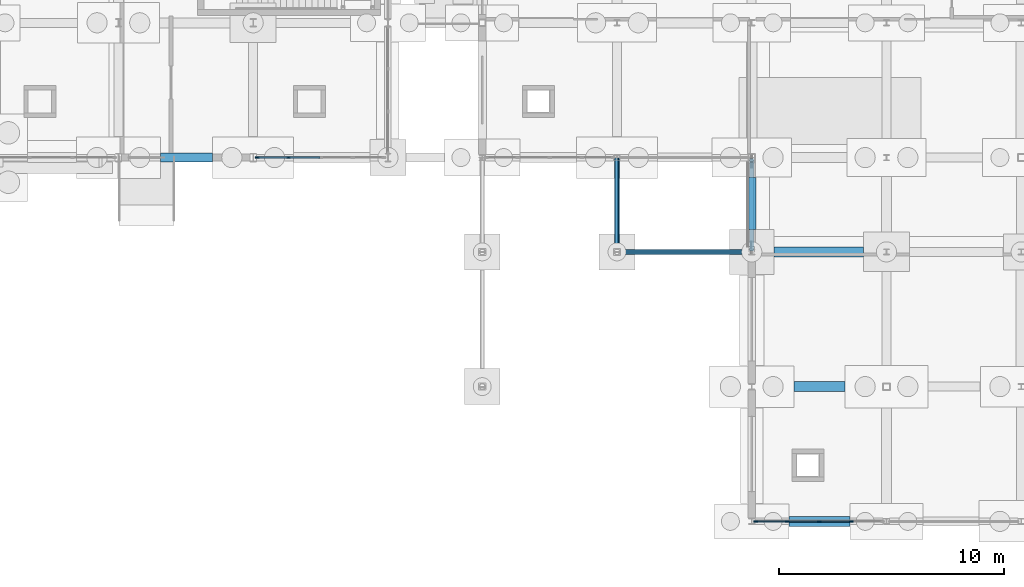
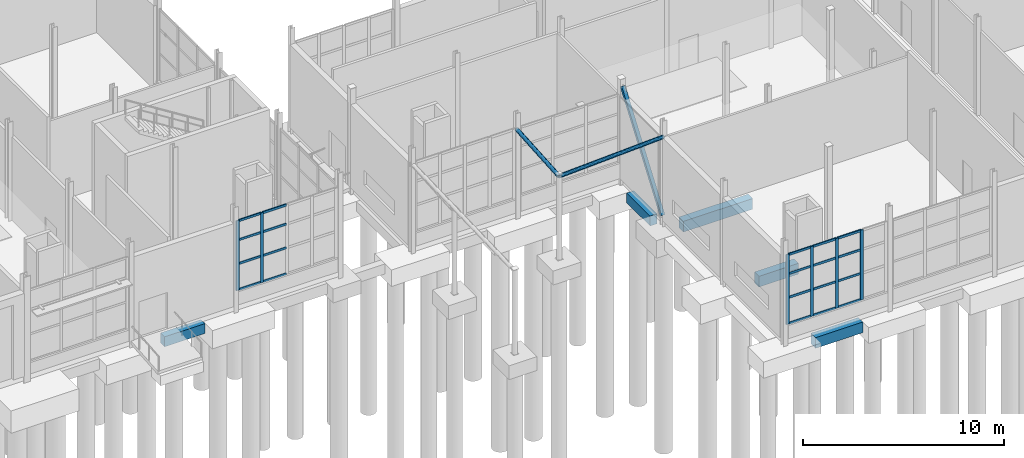
# One storey, part 42 of 120: 29 members, 5 beams, 2 elements without a shape of their own.
"""IFC4 building model written with IfcOpenShell, lengths in metres."""

import ifcopenshell
import ifcopenshell.guid

model = None  # the IFC model being written
_history = None  # IfcOwnerHistory: only IFC2X3 demands one
_inside = {}  # id of a spatial element -> (the spatial element, [elements in it])
_under = {}  # id of a project, library or spatial element -> (it, [spatial elements below it])
_declared = {}  # id of a project -> (the project, [libraries it declares])
_typed = {}  # id of a type object -> (the type object, [elements of that type])
_made_of = {}  # id of a material, layer set ... -> (it, [elements and type objects made of it])


def new_model(schema):
    """Start an empty IFC model of exactly this schema.

    Asked for "IFC4X3", IfcOpenShell would pick the latest addendum, in which some entities
    have other attributes; the version numbers below select the first issue.
    IFC2X3 requires an IfcOwnerHistory on every rooted entity: one is made here for all.
    """
    global model, _history
    if schema == "IFC4X3":
        model = ifcopenshell.file(schema_version=(4, 3, 0, 0))
    else:
        model = ifcopenshell.file(schema=schema)
    _inside.clear()
    _under.clear()
    _declared.clear()
    _typed.clear()
    _made_of.clear()
    _history = None
    if model.schema == "IFC2X3":
        org = make("IfcOrganization", Name="unknown")
        user = make(
            "IfcPersonAndOrganization",
            ThePerson=make("IfcPerson", FamilyName="unknown"),
            TheOrganization=org,
        )
        app = make(
            "IfcApplication",
            ApplicationDeveloper=org,
            Version="unknown",
            ApplicationFullName="unknown",
            ApplicationIdentifier="unknown",
        )
        _history = make(
            "IfcOwnerHistory",
            OwningUser=user,
            OwningApplication=app,
            ChangeAction="ADDED",
            CreationDate=0,
        )
    return model


def make(cls, **values):
    """One entity of the class cls with the attributes given. An attribute that is None is left unset."""
    return model.create_entity(
        cls, **{name: value for name, value in values.items() if value is not None}
    )


def rooted(cls, **values):
    """An entity with a GlobalId (a new one), such as an element, a storey or a relation."""
    return make(cls, GlobalId=ifcopenshell.guid.new(), OwnerHistory=_history, **values)


def si_unit(unit_type, name, prefix=None):
    """IfcSIUnit, for example si_unit("LENGTHUNIT", "METRE", prefix="MILLI")."""
    return make("IfcSIUnit", UnitType=unit_type, Prefix=prefix, Name=name)


def assignment(units):
    """IfcUnitAssignment: the units of a project."""
    return None if units is None else make("IfcUnitAssignment", Units=units)


def point(xyz):
    """IfcCartesianPoint."""
    return None if xyz is None else make("IfcCartesianPoint", Coordinates=xyz)


def direction(xyz):
    """IfcDirection."""
    return None if xyz is None else make("IfcDirection", DirectionRatios=xyz)


def frame(location, z_axis=None, x_axis=None):
    """IfcAxis2Placement3D, a coordinate frame: its origin and axes. An axis left out is left unset."""
    return make(
        "IfcAxis2Placement3D",
        Location=point(location),
        Axis=direction(z_axis),
        RefDirection=direction(x_axis),
    )


def frame_2d(location, x_axis=None):
    """IfcAxis2Placement2D, a coordinate frame in the plane: its origin and x axis."""
    return make(
        "IfcAxis2Placement2D", Location=point(location), RefDirection=direction(x_axis)
    )


def origin():
    """The frame at (0, 0, 0) with its axes left unset."""
    return frame((0.0, 0.0, 0.0))


def origin_2d():
    """The frame at (0, 0) in the plane with its x axis left unset."""
    return frame_2d((0.0, 0.0))


def place(relative_to, where):
    """IfcLocalPlacement: puts the frame where relative to a parent placement (None: the world)."""
    return make(
        "IfcLocalPlacement", PlacementRelTo=relative_to, RelativePlacement=where
    )


def context(
    kind, dimensions, precision=None, world=None, true_north=None, identifier=None
):
    """IfcGeometricRepresentationContext, for example the 3D "Model" context."""
    return make(
        "IfcGeometricRepresentationContext",
        ContextIdentifier=identifier,
        ContextType=kind,
        CoordinateSpaceDimension=dimensions,
        Precision=precision,
        WorldCoordinateSystem=world,
        TrueNorth=true_north,
    )


def subcontext(parent, identifier, kind, view, scale=None):
    """IfcGeometricRepresentationSubContext, for example "Body" below "Model"."""
    return make(
        "IfcGeometricRepresentationSubContext",
        ContextIdentifier=identifier,
        ContextType=kind,
        ParentContext=parent,
        TargetScale=scale,
        TargetView=view,
    )


def project(units=None, contexts=None):
    """IfcProject with its units and contexts."""
    return rooted(
        "IfcProject",
        Name="project",
        RepresentationContexts=contexts,
        UnitsInContext=assignment(units),
    )


def spatial(cls, under=None, at=None, **own):
    """A site, building, storey or space (cls), placed at a placement, below another one or the project."""
    s = rooted(cls, ObjectPlacement=at, **own)
    if under is not None:
        _under.setdefault(under.id(), (under, []))[1].append(s)
    return s


def profile(cls, at=None, kind="AREA", **sizes):
    """A parametric profile (cls). Its sizes go by their IFC names, for example OverallWidth=200.0."""
    return make(cls, ProfileType=kind, Position=at, **sizes)


def rectangle(**sizes):
    """IfcRectangleProfileDef."""
    return profile("IfcRectangleProfileDef", **sizes)


def hollow_rectangle(**sizes):
    """IfcRectangleHollowProfileDef."""
    return profile("IfcRectangleHollowProfileDef", **sizes)


def hollow_circle(**sizes):
    """IfcCircleHollowProfileDef."""
    return profile("IfcCircleHollowProfileDef", **sizes)


def extrude(swept, where, along, depth):
    """IfcExtrudedAreaSolid: the profile swept, set in the frame where, extruded along a direction by depth."""
    return make(
        "IfcExtrudedAreaSolid",
        SweptArea=swept,
        Position=where,
        ExtrudedDirection=direction(along),
        Depth=depth,
    )


def shape(context_of_items, identifier, shape_type, items):
    """IfcShapeRepresentation: the items that make up one representation, for example the "Body"."""
    return make(
        "IfcShapeRepresentation",
        ContextOfItems=context_of_items,
        RepresentationIdentifier=identifier,
        RepresentationType=shape_type,
        Items=items,
    )


def material(Name=None, Category=None):
    """IfcMaterial."""
    return make("IfcMaterial", Name=Name, Category=Category)


def material_profile(
    of_material, cross_section, Name=None, Category=None, Priority=None
):
    """IfcMaterialProfile: a cross section and its material."""
    return make(
        "IfcMaterialProfile",
        Name=Name,
        Material=of_material,
        Profile=cross_section,
        Priority=Priority,
        Category=Category,
    )


def profile_set(profiles, Name=None, composite=None):
    """IfcMaterialProfileSet."""
    return make(
        "IfcMaterialProfileSet",
        Name=Name,
        MaterialProfiles=profiles,
        CompositeProfile=composite,
    )


def made_of(thing, what):
    """Note that an element or type object is made of a material, layer set ...; save() writes the relation."""
    if what is not None:
        _made_of.setdefault(what.id(), (what, []))[1].append(thing)
    return thing


def type_object(cls, material=None, **own):
    """A type object (cls), such as IfcWallType, which elements share."""
    return made_of(rooted(cls, **own), material)


def element(
    cls,
    number,
    at=None,
    inside=None,
    cuts=None,
    type_object=None,
    material=None,
    context=None,
    identifier="Body",
    shape_type=None,
    held_by="IfcProductDefinitionShape",
    body=None,
    shapes=None,
    **own,
):
    """One element of the class cls, such as IfcWall. Its Tag is "e" and its number.

    at: its placement. inside: the storey or other place that contains it. cuts: it is an
    opening in that element (IfcRelVoidsElement). A single representation is given by context,
    identifier, shape_type and body (its items); several are given by shapes. held_by: the class
    of the entity that holds the representations. save() writes the other relations.
    """
    e = rooted(cls, Tag="e%d" % number, ObjectPlacement=at, **own)
    if body is not None:
        shapes = [shape(context, identifier, shape_type, body)]
    if shapes is not None:
        e.Representation = make(held_by, Representations=shapes)
    if inside is not None:
        _inside.setdefault(inside.id(), (inside, []))[1].append(e)
    if cuts is not None:
        rooted(
            "IfcRelVoidsElement", RelatingBuildingElement=cuts, RelatedOpeningElement=e
        )
    if type_object is not None:
        _typed.setdefault(type_object.id(), (type_object, []))[1].append(e)
    return made_of(e, material)


def aggregate(whole, parts):
    """IfcRelAggregates: a whole, such as a stair, and the parts it consists of."""
    return rooted("IfcRelAggregates", RelatingObject=whole, RelatedObjects=parts)


def save(model, path):
    """Write the relations noted so far, then the file.

    IfcRelAggregates (storeys below a building ...), IfcRelContainedInSpatialStructure (elements
    in a storey), IfcRelDefinesByType, IfcRelAssociatesMaterial and IfcRelDeclares: one each for
    every whole, place, type object, material and project.
    """
    for whole, parts in _under.values():
        aggregate(whole, parts)
    for where, things in _inside.values():
        rooted(
            "IfcRelContainedInSpatialStructure",
            RelatedElements=things,
            RelatingStructure=where,
        )
    for kind, things in _typed.values():
        rooted("IfcRelDefinesByType", RelatedObjects=things, RelatingType=kind)
    for what, things in _made_of.values():
        rooted("IfcRelAssociatesMaterial", RelatedObjects=things, RelatingMaterial=what)
    for by, libraries in _declared.values():
        rooted("IfcRelDeclares", RelatingContext=by, RelatedDefinitions=libraries)
    model.write(path)


model = new_model("IFC4")

# Units and contexts
model_context = context("Model", 3, precision=1e-05, world=origin(), true_north=direction((0.0, 1.0)))
body_context = subcontext(model_context, "Body", "Model", "MODEL_VIEW")
ifc_project = project(units=[si_unit("LENGTHUNIT", "METRE"), si_unit("AREAUNIT", "SQUARE_METRE"), si_unit("VOLUMEUNIT", "CUBIC_METRE"), si_unit("PLANEANGLEUNIT", "RADIAN"), si_unit("MASSUNIT", "GRAM", prefix="KILO")], contexts=[model_context])

# Site, building, storey
site_placement = place(None, origin())
site = spatial("IfcSite", under=ifc_project, at=site_placement, CompositionType="ELEMENT")
building_placement = place(site_placement, origin())
building = spatial("IfcBuilding", under=site, at=building_placement, Name="Siltcreek Boulevard Central Fire Station", CompositionType="ELEMENT")
storey_placement = place(building_placement, origin())
storey = spatial("IfcBuildingStorey", under=building, at=storey_placement, Name="L01", CompositionType="ELEMENT", Elevation=0.0)

# Members
ifc_material_1 = material(Name="Structural steel ASTM A500 GrC", Category="steel")
ifc_material_profile_1 = material_profile(ifc_material_1, hollow_circle(Radius=0.109619140625, WallThickness=0.00830078125, at=origin_2d()), Name="HSS219.1X8.2")
ifc_profile_set_1 = profile_set([ifc_material_profile_1], Name="Structural steel ASTM A500 GrC")
member_type_1 = type_object("IfcMemberType", Name="BR_CHS219", PredefinedType="BRACE", material=ifc_profile_set_1)
member_1_placement = place(storey_placement, frame((118.199951171875, 13.800048828125, 4.64990234375), z_axis=(0.0, 0.997457816785, 0.071259411546), x_axis=(-1.0, 0.0, 0.0)))
element("IfcMember", 1, at=member_1_placement, inside=storey, type_object=member_type_1, Name="Boulevard canopy tie strut CS-05", PredefinedType="BRACE", context=body_context, shape_type="SweptSolid", body=[
    extrude(hollow_circle(Radius=0.109619140625, WallThickness=0.00830078125, at=origin_2d()), origin(), (0.0, 0.0, 1.0), 4.210693359375),
])
member_2_placement = place(storey_placement, frame((118.199951171875, 13.800048828125, 4.64990234375), z_axis=(0.998751933465, 0.0, 0.049945724537), x_axis=(0.0, 1.0, 0.0)))
element("IfcMember", 2, at=member_2_placement, inside=storey, type_object=member_type_1, Name="Boulevard canopy tie strut CS-06", PredefinedType="BRACE", context=body_context, shape_type="SweptSolid", body=[
    extrude(hollow_circle(Radius=0.109619140625, WallThickness=0.00830078125, at=origin_2d()), origin(), (0.0, 0.0, 1.0), 6.007568359375),
])
ifc_material_profile_2 = material_profile(ifc_material_1, hollow_rectangle(XDim=0.199951171875, YDim=0.199951171875, WallThickness=0.009521484375, at=origin_2d()), Name="HSS200X200X9.5")
ifc_profile_set_2 = profile_set([ifc_material_profile_2], Name="Structural steel ASTM A500 GrC")
member_type_2 = type_object("IfcMemberType", Name="BR_HSS200_9", PredefinedType="BRACE", material=ifc_profile_set_2)
member_3_placement = place(storey_placement, frame((124.199951171875, 13.919921875, 0.10009765625), z_axis=(0.0, 0.587818249273, 0.808993019637), x_axis=(-1.0, 0.0, 0.0)))
element("IfcMember", 3, at=member_3_placement, inside=storey, type_object=member_type_2, Name="L01 buckling-restrained brace BR-037", PredefinedType="BRACE", context=body_context, shape_type="SweptSolid", body=[
    extrude(hollow_rectangle(XDim=0.199951171875, YDim=0.199951171875, WallThickness=0.009521484375, at=origin_2d()), origin(), (0.0, 0.0, 1.0), 6.73681640625),
])

# Curtain wall, members
ifc_material_2 = material(Name="Anodized aluminum and low-E insulated glazing", Category="aluminium")
curtain_wall_type_1 = type_object("IfcCurtainWallType", Name="CW_SYS_17", PredefinedType="USERDEFINED", material=ifc_material_2)
curtain_wall_1_placement = place(storey_placement, origin())
curtain_wall_1 = element("IfcCurtainWall", 4, at=curtain_wall_1_placement, inside=storey, type_object=curtain_wall_type_1, Name="L01 V2 unitised curtain wall CW-016", ObjectType="CURTAIN WALL", PredefinedType="USERDEFINED")
ifc_material_3 = material(Name="Anodized 6063-T6 aluminum framing", Category="aluminium")
ifc_material_profile_3 = material_profile(ifc_material_3, rectangle(XDim=0.06494140625, YDim=0.175048828125, at=origin_2d()), Name="MULL65X175")
ifc_profile_set_3 = profile_set([ifc_material_profile_3], Name="Anodized 6063-T6 aluminum framing")
member_type_3 = type_object("IfcMemberType", Name="CWM_65X175", PredefinedType="MULLION", material=ifc_profile_set_3)
member_4_placement = place(storey_placement, frame((102.177490234375, 18.0, 0.800048828125), z_axis=(0.0, 0.0, 1.0), x_axis=(0.0, 1.0, 0.0)))
member_4 = element("IfcMember", 5, at=member_4_placement, type_object=member_type_3, Name="CW-016 mullion 1", PredefinedType="MULLION", context=body_context, shape_type="SweptSolid", body=[
    extrude(rectangle(XDim=0.06494140625, YDim=0.175048828125, at=origin_2d()), origin(), (0.0, 0.0, 1.0), 4.23486328125),
])
member_5_placement = place(storey_placement, frame((103.572509765625, 18.0, 0.800048828125), z_axis=(0.0, 0.0, 1.0), x_axis=(0.0, 1.0, 0.0)))
member_5 = element("IfcMember", 6, at=member_5_placement, type_object=member_type_3, Name="CW-016 mullion 2", PredefinedType="MULLION", context=body_context, shape_type="SweptSolid", body=[
    extrude(rectangle(XDim=0.06494140625, YDim=0.175048828125, at=origin_2d()), origin(), (0.0, 0.0, 1.0), 4.23486328125),
])

curtain_wall_type_2 = type_object("IfcCurtainWallType", Name="CW_SYS_05", PredefinedType="USERDEFINED", material=ifc_material_2)
curtain_wall_2_placement = place(storey_placement, origin())
curtain_wall_2 = element("IfcCurtainWall", 7, at=curtain_wall_2_placement, inside=storey, type_object=curtain_wall_type_2, Name="L01 V6 unitised curtain wall CW-184", ObjectType="CURTAIN WALL", PredefinedType="USERDEFINED")
member_6_placement = place(storey_placement, frame((124.37744140625, 1.800048828125, 0.800048828125), z_axis=(0.0, 0.0, 1.0), x_axis=(0.0, 1.0, 0.0)))
member_6 = element("IfcMember", 8, at=member_6_placement, type_object=member_type_3, Name="CW-184 mullion 1", PredefinedType="MULLION", context=body_context, shape_type="SweptSolid", body=[
    extrude(rectangle(XDim=0.06494140625, YDim=0.175048828125, at=origin_2d()), origin(), (0.0, 0.0, 1.0), 4.23486328125),
])
member_7_placement = place(storey_placement, frame((125.7724609375, 1.800048828125, 0.800048828125), z_axis=(0.0, 0.0, 1.0), x_axis=(0.0, 1.0, 0.0)))
member_7 = element("IfcMember", 9, at=member_7_placement, type_object=member_type_3, Name="CW-184 mullion 2", PredefinedType="MULLION", context=body_context, shape_type="SweptSolid", body=[
    extrude(rectangle(XDim=0.06494140625, YDim=0.175048828125, at=origin_2d()), origin(), (0.0, 0.0, 1.0), 4.23486328125),
])
member_8_placement = place(storey_placement, frame((127.199951171875, 1.800048828125, 0.800048828125), z_axis=(0.0, 0.0, 1.0), x_axis=(0.0, 1.0, 0.0)))
member_8 = element("IfcMember", 10, at=member_8_placement, type_object=member_type_3, Name="CW-184 mullion 3", PredefinedType="MULLION", context=body_context, shape_type="SweptSolid", body=[
    extrude(rectangle(XDim=0.06494140625, YDim=0.175048828125, at=origin_2d()), origin(), (0.0, 0.0, 1.0), 4.23486328125),
])
member_9_placement = place(storey_placement, frame((128.62744140625, 1.800048828125, 0.800048828125), z_axis=(0.0, 0.0, 1.0), x_axis=(0.0, 1.0, 0.0)))
member_9 = element("IfcMember", 11, at=member_9_placement, type_object=member_type_3, Name="CW-184 mullion 4", PredefinedType="MULLION", context=body_context, shape_type="SweptSolid", body=[
    extrude(rectangle(XDim=0.06494140625, YDim=0.175048828125, at=origin_2d()), origin(), (0.0, 0.0, 1.0), 4.23486328125),
])

# Member
ifc_material_profile_4 = material_profile(ifc_material_3, rectangle(XDim=0.06494140625, YDim=0.135009765625, at=origin_2d()), Name="TRAN65X135")
ifc_profile_set_4 = profile_set([ifc_material_profile_4], Name="Anodized 6063-T6 aluminum framing")
member_type_4 = type_object("IfcMemberType", Name="CWT_65X135", PredefinedType="USERDEFINED", material=ifc_profile_set_4)
member_10_placement = place(storey_placement, frame((102.2099609375, 18.0, 0.83251953125), z_axis=(1.0, 0.0, 0.0), x_axis=(0.0, 1.0, 0.0)))
member_10 = element("IfcMember", 12, at=member_10_placement, type_object=member_type_4, Name="CW-016 transom 1.1", ObjectType="TRANSOM", PredefinedType="USERDEFINED", context=body_context, shape_type="SweptSolid", body=[
    extrude(rectangle(XDim=0.06494140625, YDim=0.135009765625, at=origin_2d()), origin(), (0.0, 0.0, 1.0), 1.330078125),
])

member_11_placement = place(storey_placement, frame((102.2099609375, 18.0, 2.4091796875), z_axis=(1.0, 0.0, 0.0), x_axis=(0.0, 1.0, 0.0)))
member_11 = element("IfcMember", 13, at=member_11_placement, type_object=member_type_4, Name="CW-016 transom 1.2", ObjectType="TRANSOM", PredefinedType="USERDEFINED", context=body_context, shape_type="SweptSolid", body=[
    extrude(rectangle(XDim=0.06494140625, YDim=0.135009765625, at=origin_2d()), origin(), (0.0, 0.0, 1.0), 1.330078125),
])

member_12_placement = place(storey_placement, frame((102.2099609375, 18.0, 3.84912109375), z_axis=(1.0, 0.0, 0.0), x_axis=(0.0, 1.0, 0.0)))
member_12 = element("IfcMember", 14, at=member_12_placement, type_object=member_type_4, Name="CW-016 transom 1.3", ObjectType="TRANSOM", PredefinedType="USERDEFINED", context=body_context, shape_type="SweptSolid", body=[
    extrude(rectangle(XDim=0.06494140625, YDim=0.135009765625, at=origin_2d()), origin(), (0.0, 0.0, 1.0), 1.330078125),
])

member_13_placement = place(storey_placement, frame((102.2099609375, 18.0, 5.00244140625), z_axis=(1.0, 0.0, 0.0), x_axis=(0.0, 1.0, 0.0)))
member_13 = element("IfcMember", 15, at=member_13_placement, type_object=member_type_4, Name="CW-016 transom 1.4", ObjectType="TRANSOM", PredefinedType="USERDEFINED", context=body_context, shape_type="SweptSolid", body=[
    extrude(rectangle(XDim=0.06494140625, YDim=0.135009765625, at=origin_2d()), origin(), (0.0, 0.0, 1.0), 1.330078125),
])

member_14_placement = place(storey_placement, frame((103.60498046875, 18.0, 0.83251953125), z_axis=(1.0, 0.0, 0.0), x_axis=(0.0, 1.0, 0.0)))
member_14 = element("IfcMember", 16, at=member_14_placement, type_object=member_type_4, Name="CW-016 transom 2.1", ObjectType="TRANSOM", PredefinedType="USERDEFINED", context=body_context, shape_type="SweptSolid", body=[
    extrude(rectangle(XDim=0.06494140625, YDim=0.135009765625, at=origin_2d()), origin(), (0.0, 0.0, 1.0), 1.362548828125),
])

member_15_placement = place(storey_placement, frame((103.60498046875, 18.0, 2.4091796875), z_axis=(1.0, 0.0, 0.0), x_axis=(0.0, 1.0, 0.0)))
member_15 = element("IfcMember", 17, at=member_15_placement, type_object=member_type_4, Name="CW-016 transom 2.2", ObjectType="TRANSOM", PredefinedType="USERDEFINED", context=body_context, shape_type="SweptSolid", body=[
    extrude(rectangle(XDim=0.06494140625, YDim=0.135009765625, at=origin_2d()), origin(), (0.0, 0.0, 1.0), 1.362548828125),
])

member_16_placement = place(storey_placement, frame((103.60498046875, 18.0, 3.84912109375), z_axis=(1.0, 0.0, 0.0), x_axis=(0.0, 1.0, 0.0)))
member_16 = element("IfcMember", 18, at=member_16_placement, type_object=member_type_4, Name="CW-016 transom 2.3", ObjectType="TRANSOM", PredefinedType="USERDEFINED", context=body_context, shape_type="SweptSolid", body=[
    extrude(rectangle(XDim=0.06494140625, YDim=0.135009765625, at=origin_2d()), origin(), (0.0, 0.0, 1.0), 1.362548828125),
])

member_17_placement = place(storey_placement, frame((103.60498046875, 18.0, 5.00244140625), z_axis=(1.0, 0.0, 0.0), x_axis=(0.0, 1.0, 0.0)))
member_17 = element("IfcMember", 19, at=member_17_placement, type_object=member_type_4, Name="CW-016 transom 2.4", ObjectType="TRANSOM", PredefinedType="USERDEFINED", context=body_context, shape_type="SweptSolid", body=[
    extrude(rectangle(XDim=0.06494140625, YDim=0.135009765625, at=origin_2d()), origin(), (0.0, 0.0, 1.0), 1.362548828125),
])

aggregate(curtain_wall_1, [member_4, member_5, member_10, member_11, member_12, member_13, member_14, member_15, member_16, member_17])

member_18_placement = place(storey_placement, frame((124.409912109375, 1.800048828125, 0.83251953125), z_axis=(1.0, 0.0, 0.0), x_axis=(0.0, 1.0, 0.0)))
member_18 = element("IfcMember", 20, at=member_18_placement, type_object=member_type_4, Name="CW-184 transom 1.1", ObjectType="TRANSOM", PredefinedType="USERDEFINED", context=body_context, shape_type="SweptSolid", body=[
    extrude(rectangle(XDim=0.06494140625, YDim=0.135009765625, at=origin_2d()), origin(), (0.0, 0.0, 1.0), 1.330078125),
])

member_19_placement = place(storey_placement, frame((124.409912109375, 1.800048828125, 2.4091796875), z_axis=(1.0, 0.0, 0.0), x_axis=(0.0, 1.0, 0.0)))
member_19 = element("IfcMember", 21, at=member_19_placement, type_object=member_type_4, Name="CW-184 transom 1.2", ObjectType="TRANSOM", PredefinedType="USERDEFINED", context=body_context, shape_type="SweptSolid", body=[
    extrude(rectangle(XDim=0.06494140625, YDim=0.135009765625, at=origin_2d()), origin(), (0.0, 0.0, 1.0), 1.330078125),
])

member_20_placement = place(storey_placement, frame((124.409912109375, 1.800048828125, 3.84912109375), z_axis=(1.0, 0.0, 0.0), x_axis=(0.0, 1.0, 0.0)))
member_20 = element("IfcMember", 22, at=member_20_placement, type_object=member_type_4, Name="CW-184 transom 1.3", ObjectType="TRANSOM", PredefinedType="USERDEFINED", context=body_context, shape_type="SweptSolid", body=[
    extrude(rectangle(XDim=0.06494140625, YDim=0.135009765625, at=origin_2d()), origin(), (0.0, 0.0, 1.0), 1.330078125),
])

member_21_placement = place(storey_placement, frame((124.409912109375, 1.800048828125, 5.00244140625), z_axis=(1.0, 0.0, 0.0), x_axis=(0.0, 1.0, 0.0)))
member_21 = element("IfcMember", 23, at=member_21_placement, type_object=member_type_4, Name="CW-184 transom 1.4", ObjectType="TRANSOM", PredefinedType="USERDEFINED", context=body_context, shape_type="SweptSolid", body=[
    extrude(rectangle(XDim=0.06494140625, YDim=0.135009765625, at=origin_2d()), origin(), (0.0, 0.0, 1.0), 1.330078125),
])

member_22_placement = place(storey_placement, frame((125.804931640625, 1.800048828125, 0.83251953125), z_axis=(1.0, 0.0, 0.0), x_axis=(0.0, 1.0, 0.0)))
member_22 = element("IfcMember", 24, at=member_22_placement, type_object=member_type_4, Name="CW-184 transom 2.1", ObjectType="TRANSOM", PredefinedType="USERDEFINED", context=body_context, shape_type="SweptSolid", body=[
    extrude(rectangle(XDim=0.06494140625, YDim=0.135009765625, at=origin_2d()), origin(), (0.0, 0.0, 1.0), 1.362548828125),
])

member_23_placement = place(storey_placement, frame((125.804931640625, 1.800048828125, 2.4091796875), z_axis=(1.0, 0.0, 0.0), x_axis=(0.0, 1.0, 0.0)))
member_23 = element("IfcMember", 25, at=member_23_placement, type_object=member_type_4, Name="CW-184 transom 2.2", ObjectType="TRANSOM", PredefinedType="USERDEFINED", context=body_context, shape_type="SweptSolid", body=[
    extrude(rectangle(XDim=0.06494140625, YDim=0.135009765625, at=origin_2d()), origin(), (0.0, 0.0, 1.0), 1.362548828125),
])

member_24_placement = place(storey_placement, frame((125.804931640625, 1.800048828125, 3.84912109375), z_axis=(1.0, 0.0, 0.0), x_axis=(0.0, 1.0, 0.0)))
member_24 = element("IfcMember", 26, at=member_24_placement, type_object=member_type_4, Name="CW-184 transom 2.3", ObjectType="TRANSOM", PredefinedType="USERDEFINED", context=body_context, shape_type="SweptSolid", body=[
    extrude(rectangle(XDim=0.06494140625, YDim=0.135009765625, at=origin_2d()), origin(), (0.0, 0.0, 1.0), 1.362548828125),
])

member_25_placement = place(storey_placement, frame((125.804931640625, 1.800048828125, 5.00244140625), z_axis=(1.0, 0.0, 0.0), x_axis=(0.0, 1.0, 0.0)))
member_25 = element("IfcMember", 27, at=member_25_placement, type_object=member_type_4, Name="CW-184 transom 2.4", ObjectType="TRANSOM", PredefinedType="USERDEFINED", context=body_context, shape_type="SweptSolid", body=[
    extrude(rectangle(XDim=0.06494140625, YDim=0.135009765625, at=origin_2d()), origin(), (0.0, 0.0, 1.0), 1.362548828125),
])

member_26_placement = place(storey_placement, frame((127.232421875, 1.800048828125, 0.83251953125), z_axis=(1.0, 0.0, 0.0), x_axis=(0.0, 1.0, 0.0)))
member_26 = element("IfcMember", 28, at=member_26_placement, type_object=member_type_4, Name="CW-184 transom 3.1", ObjectType="TRANSOM", PredefinedType="USERDEFINED", context=body_context, shape_type="SweptSolid", body=[
    extrude(rectangle(XDim=0.06494140625, YDim=0.135009765625, at=origin_2d()), origin(), (0.0, 0.0, 1.0), 1.362548828125),
])

member_27_placement = place(storey_placement, frame((127.232421875, 1.800048828125, 2.4091796875), z_axis=(1.0, 0.0, 0.0), x_axis=(0.0, 1.0, 0.0)))
member_27 = element("IfcMember", 29, at=member_27_placement, type_object=member_type_4, Name="CW-184 transom 3.2", ObjectType="TRANSOM", PredefinedType="USERDEFINED", context=body_context, shape_type="SweptSolid", body=[
    extrude(rectangle(XDim=0.06494140625, YDim=0.135009765625, at=origin_2d()), origin(), (0.0, 0.0, 1.0), 1.362548828125),
])

member_28_placement = place(storey_placement, frame((127.232421875, 1.800048828125, 3.84912109375), z_axis=(1.0, 0.0, 0.0), x_axis=(0.0, 1.0, 0.0)))
member_28 = element("IfcMember", 30, at=member_28_placement, type_object=member_type_4, Name="CW-184 transom 3.3", ObjectType="TRANSOM", PredefinedType="USERDEFINED", context=body_context, shape_type="SweptSolid", body=[
    extrude(rectangle(XDim=0.06494140625, YDim=0.135009765625, at=origin_2d()), origin(), (0.0, 0.0, 1.0), 1.362548828125),
])

member_29_placement = place(storey_placement, frame((127.232421875, 1.800048828125, 5.00244140625), z_axis=(1.0, 0.0, 0.0), x_axis=(0.0, 1.0, 0.0)))
member_29 = element("IfcMember", 31, at=member_29_placement, type_object=member_type_4, Name="CW-184 transom 3.4", ObjectType="TRANSOM", PredefinedType="USERDEFINED", context=body_context, shape_type="SweptSolid", body=[
    extrude(rectangle(XDim=0.06494140625, YDim=0.135009765625, at=origin_2d()), origin(), (0.0, 0.0, 1.0), 1.362548828125),
])

aggregate(curtain_wall_2, [member_6, member_7, member_8, member_9, member_18, member_19, member_20, member_21, member_22, member_23, member_24, member_25, member_26, member_27, member_28, member_29])

# Beams
ifc_material_4 = material(Name="Concrete C35/45", Category="concrete")
ifc_material_profile_5 = material_profile(ifc_material_4, rectangle(XDim=0.39990234375, YDim=0.60009765625, at=origin_2d()), Name="RC400X600")
ifc_profile_set_5 = profile_set([ifc_material_profile_5], Name="Concrete C35/45")
beam_type_1 = type_object("IfcBeamType", Name="GB_RC400X600", PredefinedType="USERDEFINED", material=ifc_profile_set_5)
for number, where, z_axis, x_axis, name in (
    (32, (97.876953125, 18.0, -0.7099609375), (1.0, 0.0, 0.0), (0.0, 1.0, 0.0), "Reinforced concrete tie grade beam GB-039"),
    (33, (124.199951171875, 14.802001953125, -0.7099609375), (0.0, 1.0, 0.0), (-1.0, 0.0, 0.0), "Reinforced concrete tie grade beam GB-207"),
):
    element("IfcBeam", number, at=place(storey_placement, frame(where, z_axis=z_axis, x_axis=x_axis)), inside=storey, type_object=beam_type_1, Name=name, ObjectType="GRADE BEAM", PredefinedType="USERDEFINED", context=body_context, shape_type="SweptSolid", body=[
        extrude(rectangle(XDim=0.39990234375, YDim=0.60009765625, at=origin_2d()), origin(), (0.0, 0.0, 1.0), 2.321044921875),
    ])
ifc_material_profile_6 = material_profile(ifc_material_4, rectangle(XDim=0.449951171875, YDim=0.64990234375, at=origin_2d()), Name="RC450X650")
ifc_profile_set_6 = profile_set([ifc_material_profile_6], Name="Concrete C35/45")
beam_type_2 = type_object("IfcBeamType", Name="GB_RC450X650", PredefinedType="USERDEFINED", material=ifc_profile_set_6)
beam_1_placement = place(storey_placement, frame((125.85205078125, 1.800048828125, -0.735107421875), z_axis=(1.0, 0.0, 0.0), x_axis=(0.0, 1.0, 0.0)))
element("IfcBeam", 34, at=beam_1_placement, inside=storey, type_object=beam_type_2, Name="Reinforced concrete tie grade beam GB-004", ObjectType="GRADE BEAM", PredefinedType="USERDEFINED", context=body_context, shape_type="SweptSolid", body=[
    extrude(rectangle(XDim=0.449951171875, YDim=0.64990234375, at=origin_2d()), origin(), (0.0, 0.0, 1.0), 2.720947265625),
])
beam_2_placement = place(storey_placement, frame((126.076904296875, 7.800048828125, -0.735107421875), z_axis=(1.0, 0.0, 0.0), x_axis=(0.0, 1.0, 0.0)))
element("IfcBeam", 35, at=beam_2_placement, inside=storey, type_object=beam_type_2, Name="Reinforced concrete tie grade beam GB-014", ObjectType="GRADE BEAM", PredefinedType="USERDEFINED", context=body_context, shape_type="SweptSolid", body=[
    extrude(rectangle(XDim=0.449951171875, YDim=0.64990234375, at=origin_2d()), origin(), (0.0, 0.0, 1.0), 2.27099609375),
])
beam_3_placement = place(storey_placement, frame((125.201904296875, 13.800048828125, -0.735107421875), z_axis=(1.0, 0.0, 0.0), x_axis=(0.0, 1.0, 0.0)))
element("IfcBeam", 36, at=beam_3_placement, inside=storey, type_object=beam_type_2, Name="Reinforced concrete tie grade beam GB-020", ObjectType="GRADE BEAM", PredefinedType="USERDEFINED", context=body_context, shape_type="SweptSolid", body=[
    extrude(rectangle(XDim=0.449951171875, YDim=0.64990234375, at=origin_2d()), origin(), (0.0, 0.0, 1.0), 3.97119140625),
])

save(model, "model.ifc")
